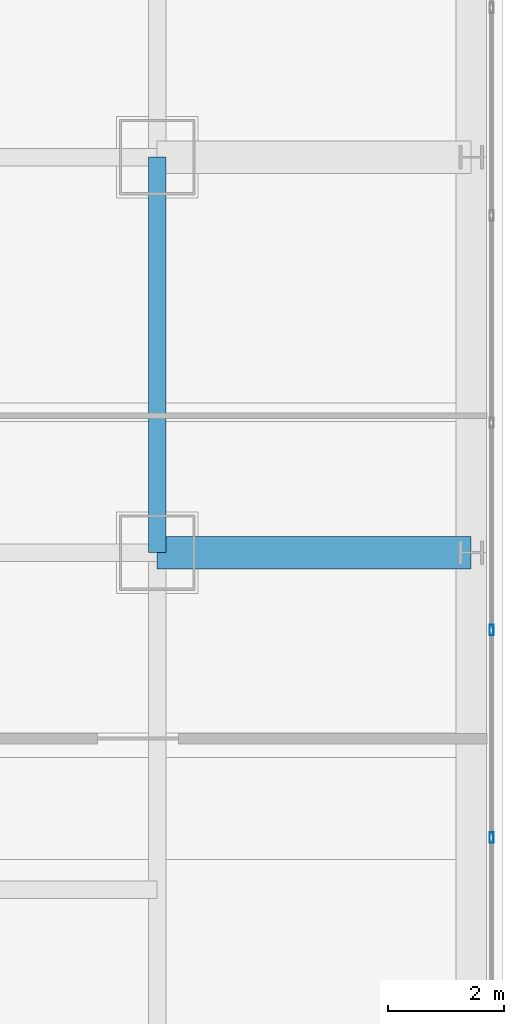
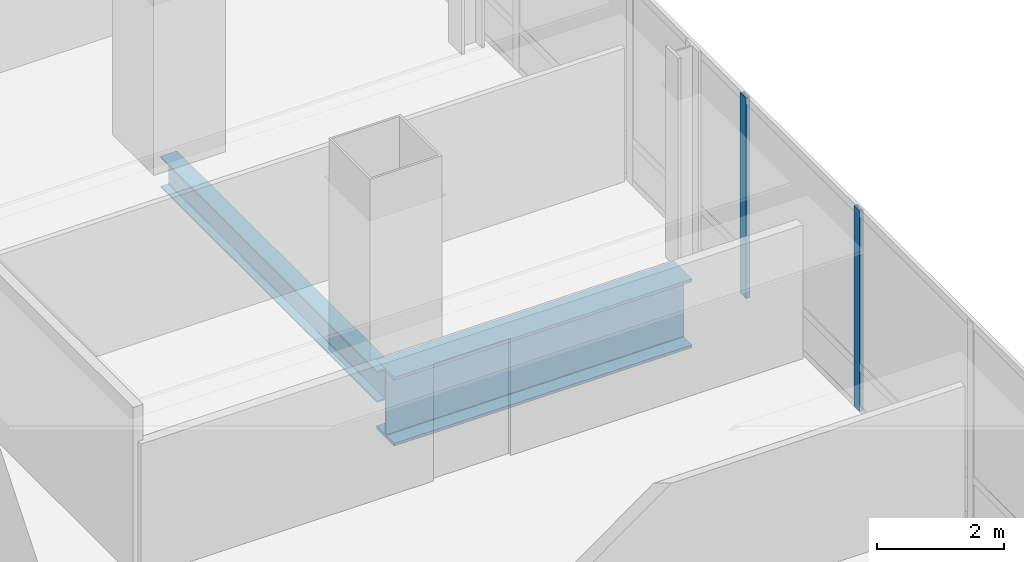
# One storey, part 17 of 42: 2 beams, 2 members, 1 element without a shape of its own.
"""IFC4 building model written with IfcOpenShell, lengths in metres."""

from ifc_helpers import new_model, si_unit, direction, frame, origin, origin_2d, place, context, subcontext, project, spatial, hollow_rectangle, i_section, extrude, material, material_profile, profile_set, type_object, element, aggregate, save


model = new_model("IFC4")

# Units and contexts
model_context = context("Model", 3, precision=1e-05, world=origin(), true_north=direction((0.0, 1.0)))
body_context = subcontext(model_context, "Body", "Model", "MODEL_VIEW")
ifc_project = project(units=[si_unit("LENGTHUNIT", "METRE"), si_unit("AREAUNIT", "SQUARE_METRE"), si_unit("VOLUMEUNIT", "CUBIC_METRE"), si_unit("PLANEANGLEUNIT", "RADIAN"), si_unit("MASSUNIT", "GRAM", prefix="KILO")], contexts=[model_context])

# Site, building, storey
site_placement = place(None, origin())
site = spatial("IfcSite", under=ifc_project, at=site_placement, CompositionType="ELEMENT")
building_placement = place(site_placement, origin())
building = spatial("IfcBuilding", under=site, at=building_placement, Name="Punatoya Terracotta Tower", CompositionType="ELEMENT")
storey_placement = place(building_placement, frame((0.0, 0.0, 255.449951171875)))
storey = spatial("IfcBuildingStorey", under=building, at=storey_placement, Name="L60", CompositionType="ELEMENT", Elevation=255.449951171875)

# Beams
ifc_material_1 = material(Name="Steel S355", Category="steel")
ifc_material_profile_1 = material_profile(ifc_material_1, i_section(OverallWidth=0.300048828125, OverallDepth=0.60009765625, WebThickness=0.015380859375, FlangeThickness=0.030029296875, FilletRadius=0.01806640625, at=origin_2d()))
ifc_profile_set_1 = profile_set([ifc_material_profile_1], Name="Steel S355")
beam_type_1 = type_object("IfcBeamType", Name="BM-PRI-600", PredefinedType="BEAM", material=ifc_profile_set_1)
beam_1_placement = place(storey_placement, frame((19.10009765625, -3.39990234375, -0.5), z_axis=(0.0, 1.0, 0.0), x_axis=(-1.0, 0.0, 0.0)))
element("IfcBeam", 1, at=beam_1_placement, inside=storey, type_object=beam_type_1, Name="BM-L60-RG-E2", PredefinedType="BEAM", context=body_context, shape_type="SweptSolid", body=[
    extrude(i_section(OverallWidth=0.300048828125, OverallDepth=0.60009765625, WebThickness=0.015380859375, FlangeThickness=0.030029296875, FilletRadius=0.01806640625, at=origin_2d()), origin(), (0.0, 0.0, 1.0), 6.7998046875),
])
ifc_material_2 = material(Name="Steel S460", Category="steel")
ifc_material_profile_2 = material_profile(ifc_material_2, i_section(OverallWidth=0.56005859375, OverallDepth=1.320068359375, WebThickness=0.035888671875, FlangeThickness=0.054931640625, FilletRadius=0.01806640625, at=origin_2d()))
ifc_profile_set_2 = profile_set([ifc_material_profile_2], Name="Steel S460")
beam_type_2 = type_object("IfcBeamType", Name="BM-TG-BLK", PredefinedType="BEAM", material=ifc_profile_set_2)
beam_2_placement = place(storey_placement, frame((19.10009765625, -3.39990234375, -0.85986328125), z_axis=(1.0, 0.0, 0.0), x_axis=(0.0, 1.0, 0.0)))
element("IfcBeam", 2, at=beam_2_placement, inside=storey, type_object=beam_type_2, Name="BM-L60-CANT-E2", PredefinedType="BEAM", context=body_context, shape_type="SweptSolid", body=[
    extrude(i_section(OverallWidth=0.56005859375, OverallDepth=1.320068359375, WebThickness=0.035888671875, FlangeThickness=0.054931640625, FilletRadius=0.01806640625, at=origin_2d()), origin(), (0.0, 0.0, 1.0), 5.39990234375),
])

# Curtain wall, members
ifc_material_3 = material(Name="Aluminium 6063-T6 + Double Low-E Glass", Category="aluminium")
curtain_wall_type = type_object("IfcCurtainWallType", Name="CW-M3", PredefinedType="NOTDEFINED", material=ifc_material_3)
curtain_wall_placement = place(storey_placement, origin())
curtain_wall = element("IfcCurtainWall", 3, at=curtain_wall_placement, inside=storey, type_object=curtain_wall_type, Name="L60 Curtain Wall CW-L60-E05-1", PredefinedType="NOTDEFINED")
ifc_material_4 = material(Name="Aluminium 6063-T6", Category="aluminium")
ifc_material_profile_3 = material_profile(ifc_material_4, hollow_rectangle(XDim=0.070068359375, YDim=0.179931640625, WallThickness=0.00390625, at=origin_2d()))
ifc_profile_set_3 = profile_set([ifc_material_profile_3], Name="Aluminium 6063-T6")
member_type = type_object("IfcMemberType", Name="CW-MUL-M3", PredefinedType="MULLION", material=ifc_profile_set_3)
member_1_placement = place(storey_placement, frame((24.85009765625, -8.302001953125, 0.0), z_axis=(0.0, 0.0, 1.0), x_axis=(1.0, 0.0, 0.0)))
member_1 = element("IfcMember", 4, at=member_1_placement, type_object=member_type, Name="CW-L60-E05-1 Mullion 02", PredefinedType="MULLION", context=body_context, shape_type="SweptSolid", body=[
    extrude(hollow_rectangle(XDim=0.070068359375, YDim=0.179931640625, WallThickness=0.00390625, at=origin_2d()), origin(), (0.0, 0.0, 1.0), 3.85009765625),
])
member_2_placement = place(storey_placement, frame((24.85009765625, -4.73486328125, 0.0), z_axis=(0.0, 0.0, 1.0), x_axis=(1.0, 0.0, 0.0)))
member_2 = element("IfcMember", 5, at=member_2_placement, type_object=member_type, Name="CW-L60-E05-1 Mullion 03", PredefinedType="MULLION", context=body_context, shape_type="SweptSolid", body=[
    extrude(hollow_rectangle(XDim=0.070068359375, YDim=0.179931640625, WallThickness=0.00390625, at=origin_2d()), origin(), (0.0, 0.0, 1.0), 3.85009765625),
])
aggregate(curtain_wall, [member_1, member_2])

save(model, "model.ifc")
